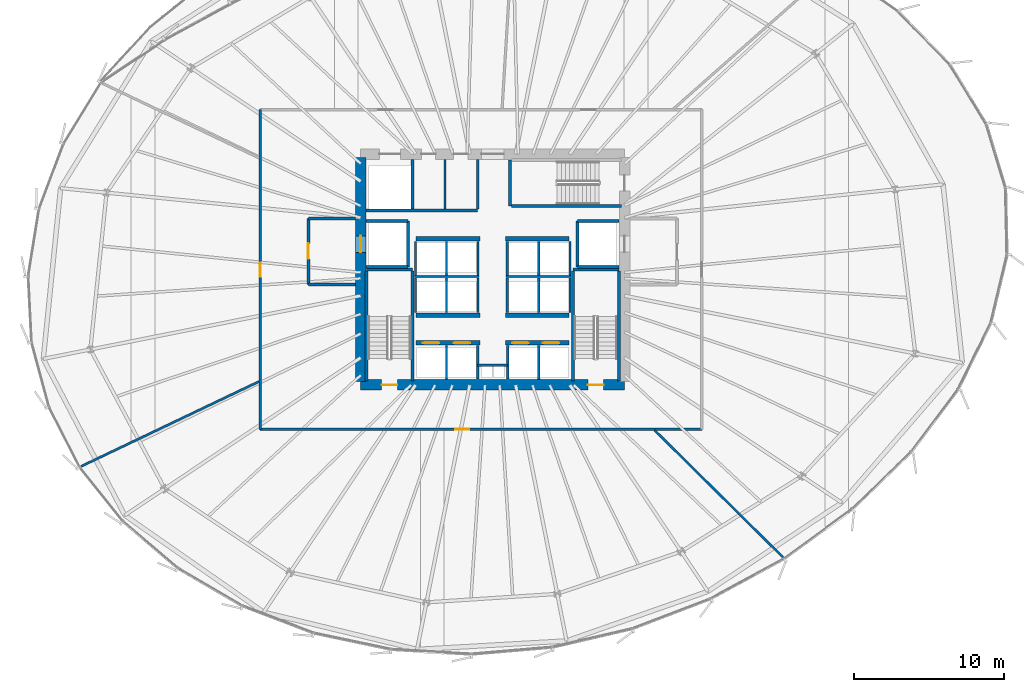
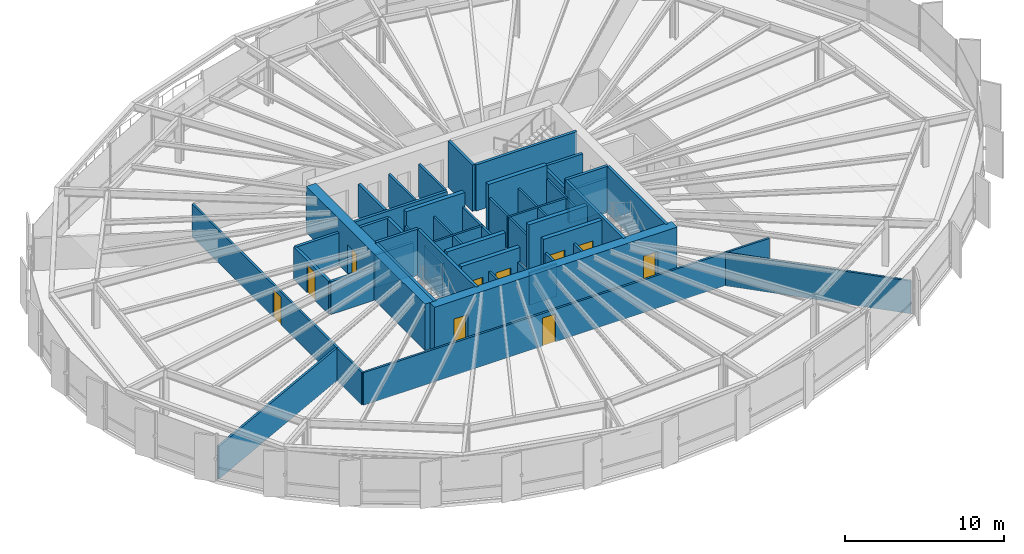
# One storey, part 32 of 38: 52 walls, 10 doors, 10 openings.
"""IFC4 building model written with IfcOpenShell, lengths in metres."""

from ifc_helpers import new_model, si_unit, direction, frame, frame_2d, origin, place, context, subcontext, project, spatial, rectangle, extrude, source, transform, mapped, material, layer, layer_set, type_object, element, fill, save


model = new_model("IFC4")

# Units and contexts
model_context = context("Model", 3, precision=1e-05, world=origin(), true_north=direction((0.0, 1.0)))
body_context = subcontext(model_context, "Body", "Model", "MODEL_VIEW")
ifc_project = project(units=[si_unit("LENGTHUNIT", "METRE"), si_unit("AREAUNIT", "SQUARE_METRE"), si_unit("VOLUMEUNIT", "CUBIC_METRE"), si_unit("PLANEANGLEUNIT", "RADIAN"), si_unit("MASSUNIT", "GRAM", prefix="KILO"), si_unit("THERMODYNAMICTEMPERATUREUNIT", "KELVIN")], contexts=[model_context])

# Site, building, storey
site_placement = place(None, origin())
site = spatial("IfcSite", under=ifc_project, at=site_placement, CompositionType="ELEMENT")
building_placement = place(site_placement, origin())
building = spatial("IfcBuilding", under=site, at=building_placement, Name="Kethvar Cultural Tower", CompositionType="ELEMENT")
storey_placement = place(building_placement, frame((0.0, 0.0, 67.60009765625)))
storey = spatial("IfcBuildingStorey", under=building, at=storey_placement, Name="L16", CompositionType="ELEMENT", Elevation=67.60009765625)

# Wall, openings, doors
ifc_material_1 = material(Name="Concrete C60/75", Category="concrete")
ifc_layer_1 = layer(ifc_material_1, 0.699951171875, Name="Concrete C60/75", Category="concrete")
ifc_layer_set_1 = layer_set([ifc_layer_1], Name="Concrete C60/75 (700 mm)")
wall_type_1 = type_object("IfcWallType", Name="WL-CORE-700", PredefinedType="SHEAR", material=ifc_layer_set_1)
wall_1_placement = place(storey_placement, frame((38.0, 20.10009765625, 0.0), z_axis=(0.0, 0.0, 1.0), x_axis=(1.0, 0.0, 0.0)))
wall_1 = element("IfcWall", 1, at=wall_1_placement, inside=storey, type_object=wall_type_1, Name="L16 Core Shear Wall S", PredefinedType="SHEAR", context=body_context, shape_type="SweptSolid", body=[
    extrude(rectangle(XDim=17.60009765625, YDim=0.699951171875, at=frame_2d((8.800048828125, 0.0))), origin(), (0.0, 0.0, 1.0), 3.5498046875),
])
opening_1_placement = place(wall_1_placement, frame((1.39990234375, 0.0, 0.0)))
opening_1 = element("IfcOpeningElement", 2, at=opening_1_placement, cuts=wall_1, Name="Opening D-L16-S1", PredefinedType="OPENING", context=body_context, shape_type="SweptSolid", body=[
    extrude(rectangle(XDim=1.050048828125, YDim=2.14990234375, at=frame_2d((0.52490234375, 1.074951171875))), frame((0.0, 0.35986328125, 0.0), z_axis=(0.0, -1.0, 0.0), x_axis=(1.0, 0.0, 0.0)), (0.0, 0.0, 1.0), 0.719970703125),
])
opening_2_placement = place(wall_1_placement, frame((15.14990234375, 0.0, 0.0)))
opening_2 = element("IfcOpeningElement", 3, at=opening_2_placement, cuts=wall_1, Name="Opening D-L16-ST2", PredefinedType="OPENING", context=body_context, shape_type="SweptSolid", body=[
    extrude(rectangle(XDim=1.050048828125, YDim=2.14990234375, at=frame_2d((0.52490234375, 1.074951171875))), frame((0.0, 0.35986328125, 0.0), z_axis=(0.0, -1.0, 0.0), x_axis=(1.0, 0.0, 0.0)), (0.0, 0.0, 1.0), 0.719970703125),
])
ifc_material_2 = material(Name="Steel S355J2", Category="steel")
door_type_1 = type_object("IfcDoorType", Name="DR-FD60-1050", OperationType="NOTDEFINED", PredefinedType="DOOR", material=ifc_material_2)
shared_shape_1 = source(origin(), body_context, "Body", "SweptSolid", [
    extrude(rectangle(XDim=1.050048828125, YDim=2.14990234375, at=frame_2d((0.52490234375, 1.074951171875))), frame((0.0, 0.02490234375, 0.0), z_axis=(0.0, -1.0, 0.0), x_axis=(1.0, 0.0, 0.0)), (0.0, 0.0, 1.0), 0.050048828125),
])
door_1_placement = place(opening_1_placement, origin())
door_1 = element("IfcDoor", 4, at=door_1_placement, inside=storey, type_object=door_type_1, Name="L16 Exit Stair 1 Door", OperationType="SINGLE_SWING_LEFT", OverallHeight=2.14990234375, OverallWidth=1.050048828125, PredefinedType="DOOR", context=body_context, shape_type="MappedRepresentation", body=[
    mapped(shared_shape_1, transform((0.0, 0.0, 0.0), scale=1.0)),
])
fill(opening_1, door_1)
door_2_placement = place(opening_2_placement, origin())
door_2 = element("IfcDoor", 5, at=door_2_placement, inside=storey, type_object=door_type_1, Name="L16 Exit Stair 2 Door", OperationType="SINGLE_SWING_RIGHT", OverallHeight=2.14990234375, OverallWidth=1.050048828125, PredefinedType="DOOR", context=body_context, shape_type="MappedRepresentation", body=[
    mapped(shared_shape_1, transform((0.0, 0.0, 0.0), scale=1.0)),
])
fill(opening_2, door_2)

# Wall, opening, door
wall_2_placement = place(storey_placement, frame((38.0, 35.260009765625, 0.0), z_axis=(0.0, 0.0, 1.0), x_axis=(0.0, -1.0, 0.0)))
wall_2 = element("IfcWall", 6, at=wall_2_placement, inside=storey, type_object=wall_type_1, Name="L16 Core Shear Wall W", PredefinedType="SHEAR", context=body_context, shape_type="SweptSolid", body=[
    extrude(rectangle(XDim=14.919921875, YDim=0.699951171875, at=frame_2d((7.4599609375, 0.0))), origin(), (0.0, 0.0, 1.0), 3.5498046875),
])
opening_3_placement = place(wall_2_placement, frame((5.2099609375, 0.0, 0.0)))
opening_3 = element("IfcOpeningElement", 7, at=opening_3_placement, cuts=wall_2, Name="Opening LD-1", PredefinedType="OPENING", context=body_context, shape_type="SweptSolid", body=[
    extrude(rectangle(XDim=1.10009765625, YDim=2.199951171875, at=frame_2d((0.550048828125, 1.10009765625))), frame((0.0, 0.35986328125, 0.0), z_axis=(0.0, -1.0, 0.0), x_axis=(1.0, 0.0, 0.0)), (0.0, 0.0, 1.0), 0.719970703125),
])
door_type_2 = type_object("IfcDoorType", Name="DR-LIFT-SLIDE-1100", OperationType="NOTDEFINED", PredefinedType="DOOR", material=ifc_material_2)
shared_shape_2 = source(origin(), body_context, "Body", "SweptSolid", [
    extrude(rectangle(XDim=1.10009765625, YDim=2.199951171875, at=frame_2d((0.550048828125, 1.10009765625))), frame((0.0, 0.02490234375, 0.0), z_axis=(0.0, -1.0, 0.0), x_axis=(1.0, 0.0, 0.0)), (0.0, 0.0, 1.0), 0.050048828125),
])
door_3_placement = place(opening_3_placement, origin())
door_3 = element("IfcDoor", 8, at=door_3_placement, inside=storey, type_object=door_type_2, Name="L16 Firefighting Lift Landing Door FFL-01", OperationType="SLIDING_TO_LEFT", OverallHeight=2.199951171875, OverallWidth=1.10009765625, PredefinedType="DOOR", context=body_context, shape_type="MappedRepresentation", body=[
    mapped(shared_shape_2, transform((0.0, 0.0, 0.0), scale=1.0)),
])
fill(opening_3, door_3)

# Walls
ifc_material_3 = material(Name="Gypsum Fireboard Partition")
ifc_layer_2 = layer(ifc_material_3, 0.14990234375, Name="Gypsum Fireboard Partition")
ifc_layer_set_2 = layer_set([ifc_layer_2], Name="Gypsum Fireboard Partition (150 mm)")
wall_type_2 = type_object("IfcWallType", Name="WL-FIRE-150", PredefinedType="PARTITIONING", material=ifc_layer_set_2)
wall_3_placement = place(storey_placement, frame((45.800048828125, 21.419921875, 0.0), z_axis=(0.0, 0.0, 1.0), x_axis=(1.0, 0.0, 0.0)))
element("IfcWall", 9, at=wall_3_placement, inside=storey, type_object=wall_type_2, Name="L16 Core Riser Wall", PredefinedType="PARTITIONING", context=body_context, shape_type="SweptSolid", body=[
    extrude(rectangle(XDim=2.0, YDim=0.14990234375, at=frame_2d((1.0, 0.0))), origin(), (0.0, 0.0, 1.0), 2.5048828125),
])
for number, where, z_axis, x_axis, name in (
    (10, (45.800048828125, 20.47998046875, 0.0), (0.0, 0.0, 1.0), (0.0, 1.0, 0.0), "L16 Core Riser West Wall"),
    (11, (47.800048828125, 20.47998046875, 0.0), (0.0, 0.0, 1.0), (0.0, 1.0, 0.0), "L16 Core Riser East Wall"),
):
    element("IfcWall", number, at=place(storey_placement, frame(where, z_axis=z_axis, x_axis=x_axis)), inside=storey, type_object=wall_type_2, Name=name, PredefinedType="PARTITIONING", context=body_context, shape_type="SweptSolid", body=[
        extrude(rectangle(XDim=2.239990234375, YDim=0.14990234375, at=frame_2d((1.1201171875, 0.0))), origin(), (0.0, 0.0, 1.0), 2.5048828125),
    ])
for number, where, z_axis, x_axis, name in (
    (12, (43.72509765625, 20.4599609375, 0.0), (0.0, 0.0, 1.0), (0.0, 1.0, 0.0), "L16 Low-Rise Lift Shaft Divider W"),
    (13, (49.875, 20.4599609375, 0.0), (0.0, 0.0, 1.0), (0.0, 1.0, 0.0), "L16 Low-Rise Lift Shaft Divider E"),
):
    element("IfcWall", number, at=place(storey_placement, frame(where, z_axis=z_axis, x_axis=x_axis)), inside=storey, type_object=wall_type_2, Name=name, PredefinedType="PARTITIONING", context=body_context, shape_type="SweptSolid", body=[
        extrude(rectangle(XDim=2.27001953125, YDim=0.14990234375, at=frame_2d((1.135009765625, 0.0))), origin(), (0.0, 0.0, 1.0), 2.5048828125),
    ])
wall_4_placement = place(storey_placement, frame((41.580078125, 27.324951171875, 0.0), z_axis=(0.0, 0.0, 1.0), x_axis=(1.0, 0.0, 0.0)))
element("IfcWall", 14, at=wall_4_placement, inside=storey, type_object=wall_type_2, Name="L16 Mid-High Lift Shaft Back Wall W", PredefinedType="PARTITIONING", context=body_context, shape_type="SweptSolid", body=[
    extrude(rectangle(XDim=4.31982421875, YDim=0.14990234375, at=frame_2d((2.159912109375, 0.0))), origin(), (0.0, 0.0, 1.0), 2.5048828125),
])
wall_5_placement = place(storey_placement, frame((47.699951171875, 27.324951171875, 0.0), z_axis=(0.0, 0.0, 1.0), x_axis=(1.0, 0.0, 0.0)))
element("IfcWall", 15, at=wall_5_placement, inside=storey, type_object=wall_type_2, Name="L16 Mid-High Lift Shaft Back Wall E", PredefinedType="PARTITIONING", context=body_context, shape_type="SweptSolid", body=[
    extrude(rectangle(XDim=4.320068359375, YDim=0.14990234375, at=frame_2d((2.16015625, 0.0))), origin(), (0.0, 0.0, 1.0), 2.5048828125),
])
for number, where, z_axis, x_axis, name in (
    (16, (41.64990234375, 24.919921875, 0.0), (0.0, 0.0, 1.0), (0.0, 1.0, 0.0), "L16 Mid-Rise Lift Shaft Outer Wall W"),
    (17, (43.72509765625, 24.919921875, 0.0), (0.0, 0.0, 1.0), (0.0, 1.0, 0.0), "L16 Mid-Rise Lift Shaft Divider W"),
    (18, (45.824951171875, 24.919921875, 0.0), (0.0, 0.0, 1.0), (0.0, 1.0, 0.0), "L16 Mid-Rise Lift Shaft Concourse Wall W"),
    (19, (47.77490234375, 24.919921875, 0.0), (0.0, 0.0, 1.0), (0.0, 1.0, 0.0), "L16 Mid-Rise Lift Shaft Concourse Wall E"),
    (20, (49.875, 24.919921875, 0.0), (0.0, 0.0, 1.0), (0.0, 1.0, 0.0), "L16 Mid-Rise Lift Shaft Divider E"),
    (21, (51.949951171875, 24.919921875, 0.0), (0.0, 0.0, 1.0), (0.0, 1.0, 0.0), "L16 Mid-Rise Lift Shaft Outer Wall E"),
):
    element("IfcWall", number, at=place(storey_placement, frame(where, z_axis=z_axis, x_axis=x_axis)), inside=storey, type_object=wall_type_2, Name=name, PredefinedType="PARTITIONING", context=body_context, shape_type="SweptSolid", body=[
        extrude(rectangle(XDim=2.320068359375, YDim=0.14990234375, at=frame_2d((1.16015625, 0.0))), origin(), (0.0, 0.0, 1.0), 2.5048828125),
    ])
for number, where, z_axis, x_axis, name in (
    (22, (41.64990234375, 27.409912109375, 0.0), (0.0, 0.0, 1.0), (0.0, 1.0, 0.0), "L16 High-Rise Lift Shaft Outer Wall W"),
    (23, (43.72509765625, 27.409912109375, 0.0), (0.0, 0.0, 1.0), (0.0, 1.0, 0.0), "L16 High-Rise Lift Shaft Divider W"),
    (24, (45.824951171875, 27.409912109375, 0.0), (0.0, 0.0, 1.0), (0.0, 1.0, 0.0), "L16 High-Rise Lift Shaft Concourse Wall W"),
    (25, (47.77490234375, 27.409912109375, 0.0), (0.0, 0.0, 1.0), (0.0, 1.0, 0.0), "L16 High-Rise Lift Shaft Concourse Wall E"),
    (26, (49.875, 27.409912109375, 0.0), (0.0, 0.0, 1.0), (0.0, 1.0, 0.0), "L16 High-Rise Lift Shaft Divider E"),
    (27, (51.949951171875, 27.409912109375, 0.0), (0.0, 0.0, 1.0), (0.0, 1.0, 0.0), "L16 High-Rise Lift Shaft Outer Wall E"),
):
    element("IfcWall", number, at=place(storey_placement, frame(where, z_axis=z_axis, x_axis=x_axis)), inside=storey, type_object=wall_type_2, Name=name, PredefinedType="PARTITIONING", context=body_context, shape_type="SweptSolid", body=[
        extrude(rectangle(XDim=2.27001953125, YDim=0.14990234375, at=frame_2d((1.135009765625, 0.0))), origin(), (0.0, 0.0, 1.0), 2.5048828125),
    ])
wall_6_placement = place(storey_placement, frame((45.800048828125, 31.85009765625, 0.0), z_axis=(0.0, 0.0, 1.0), x_axis=(0.0, 1.0, 0.0)))
element("IfcWall", 28, at=wall_6_placement, inside=storey, type_object=wall_type_2, Name="L16 Sanitary Spine Wall", PredefinedType="PARTITIONING", context=body_context, shape_type="SweptSolid", body=[
    extrude(rectangle(XDim=3.289794921875, YDim=0.14990234375, at=frame_2d((1.64501953125, 0.0))), origin(), (0.0, 0.0, 1.0), 2.5048828125),
])

# Wall, opening, door
wall_7_placement = place(storey_placement, frame((31.2900390625, 17.139892578125, 0.0), z_axis=(0.0, 0.0, 1.0), x_axis=(1.0, 0.0, 0.0)))
wall_7 = element("IfcWall", 29, at=wall_7_placement, inside=storey, type_object=wall_type_2, Name="L16 Corridor Rated Wall S", PredefinedType="PARTITIONING", context=body_context, shape_type="SweptSolid", body=[
    extrude(rectangle(XDim=29.4599609375, YDim=0.14990234375, at=frame_2d((14.72998046875, 0.0))), origin(), (0.0, 0.0, 1.0), 2.5048828125),
])
opening_4_placement = place(wall_7_placement, frame((12.998046875, 0.0, 0.0)))
opening_4 = element("IfcOpeningElement", 30, at=opening_4_placement, cuts=wall_7, Name="Opening D-L16-01", PredefinedType="OPENING", context=body_context, shape_type="SweptSolid", body=[
    extrude(rectangle(XDim=0.949951171875, YDim=2.14990234375, at=frame_2d((0.47509765625, 1.074951171875))), frame((0.0, 0.0849609375, 0.0), z_axis=(0.0, -1.0, 0.0), x_axis=(1.0, 0.0, 0.0)), (0.0, 0.0, 1.0), 0.169921875),
])
ifc_material_4 = material(Name="Architectural Oak Timber", Category="wood")
door_type_3 = type_object("IfcDoorType", Name="DR-FD30-950", OperationType="NOTDEFINED", PredefinedType="DOOR", material=ifc_material_4)
shared_shape_3 = source(origin(), body_context, "Body", "SweptSolid", [
    extrude(rectangle(XDim=0.949951171875, YDim=2.14990234375, at=frame_2d((0.47509765625, 1.074951171875))), frame((0.0, 0.02490234375, 0.0), z_axis=(0.0, -1.0, 0.0), x_axis=(1.0, 0.0, 0.0)), (0.0, 0.0, 1.0), 0.050048828125),
])
door_4_placement = place(opening_4_placement, origin())
door_4 = element("IfcDoor", 31, at=door_4_placement, inside=storey, type_object=door_type_3, Name="L16 Members' Dining Lounge 01 Door", OperationType="SINGLE_SWING_LEFT", OverallHeight=2.14990234375, OverallWidth=0.949951171875, PredefinedType="DOOR", context=body_context, shape_type="MappedRepresentation", body=[
    mapped(shared_shape_3, transform((0.0, 0.0, 0.0), scale=1.0)),
])
fill(opening_4, door_4)

wall_8_placement = place(storey_placement, frame((31.2900390625, 38.4599609375, 0.0), z_axis=(0.0, 0.0, 1.0), x_axis=(0.0, -1.0, 0.0)))
wall_8 = element("IfcWall", 32, at=wall_8_placement, inside=storey, type_object=wall_type_2, Name="L16 Corridor Rated Wall W", PredefinedType="PARTITIONING", context=body_context, shape_type="SweptSolid", body=[
    extrude(rectangle(XDim=21.320068359375, YDim=0.14990234375, at=frame_2d((10.66015625, 0.0))), origin(), (0.0, 0.0, 1.0), 2.5048828125),
])
opening_5_placement = place(wall_8_placement, frame((10.2001953125, 0.0, 0.0)))
opening_5 = element("IfcOpeningElement", 33, at=opening_5_placement, cuts=wall_8, Name="Opening D-L16-05", PredefinedType="OPENING", context=body_context, shape_type="SweptSolid", body=[
    extrude(rectangle(XDim=0.949951171875, YDim=2.14990234375, at=frame_2d((0.47509765625, 1.074951171875))), frame((0.0, 0.0849609375, 0.0), z_axis=(0.0, -1.0, 0.0), x_axis=(1.0, 0.0, 0.0)), (0.0, 0.0, 1.0), 0.169921875),
])
door_5_placement = place(opening_5_placement, origin())
door_5 = element("IfcDoor", 34, at=door_5_placement, inside=storey, type_object=door_type_3, Name="L16 Laboratory Tea Pantry 05 Door", OperationType="SINGLE_SWING_LEFT", OverallHeight=2.14990234375, OverallWidth=0.949951171875, PredefinedType="DOOR", context=body_context, shape_type="MappedRepresentation", body=[
    mapped(shared_shape_3, transform((0.0, 0.0, 0.0), scale=1.0)),
])
fill(opening_5, door_5)

# Walls
ifc_material_5 = material(Name="Concrete C40/50", Category="concrete")
ifc_layer_3 = layer(ifc_material_5, 0.199951171875, Name="Concrete C40/50", Category="concrete")
ifc_layer_set_3 = layer_set([ifc_layer_3], Name="Concrete C40/50 (200 mm)")
wall_type_3 = type_object("IfcWallType", Name="WL-FIRE-200", PredefinedType="PARTITIONING", material=ifc_layer_set_3)
wall_9_placement = place(storey_placement, frame((41.14990234375, 27.949951171875, 0.0), z_axis=(0.0, 0.0, 1.0), x_axis=(0.0, 1.0, 0.0)))
element("IfcWall", 35, at=wall_9_placement, inside=storey, type_object=wall_type_3, Name="L16 FFL-01 Shaft Inner Wall", PredefinedType="PARTITIONING", context=body_context, shape_type="SweptSolid", body=[
    extrude(rectangle(XDim=3.10009765625, YDim=0.199951171875, at=frame_2d((1.550048828125, 0.0))), origin(), (0.0, 0.0, 1.0), 2.5048828125),
])
for number, where, z_axis, x_axis, name in (
    (36, (38.360107421875, 27.949951171875, 0.0), (0.0, 0.0, 1.0), (1.0, 0.0, 0.0), "L16 FFL-01 Shaft South Wall"),
    (37, (38.360107421875, 31.050048828125, 0.0), (0.0, 0.0, 1.0), (1.0, 0.0, 0.0), "L16 FFL-01 Shaft North Wall"),
):
    element("IfcWall", number, at=place(storey_placement, frame(where, z_axis=z_axis, x_axis=x_axis)), inside=storey, type_object=wall_type_3, Name=name, PredefinedType="PARTITIONING", context=body_context, shape_type="SweptSolid", body=[
        extrude(rectangle(XDim=2.789794921875, YDim=0.199951171875, at=frame_2d((1.39501953125, 0.0))), origin(), (0.0, 0.0, 1.0), 2.5048828125),
    ])

# Wall, opening, door
wall_10_placement = place(storey_placement, frame((34.5, 31.199951171875, 0.0), z_axis=(0.0, 0.0, 1.0), x_axis=(0.0, -1.0, 0.0)))
wall_10 = element("IfcWall", 38, at=wall_10_placement, inside=storey, type_object=wall_type_3, Name="L16 Firefighting Lobby 1 Wall", PredefinedType="PARTITIONING", context=body_context, shape_type="SweptSolid", body=[
    extrude(rectangle(XDim=4.39990234375, YDim=0.199951171875, at=frame_2d((2.199951171875, 0.0))), origin(), (0.0, 0.0, 1.0), 2.5048828125),
])
opening_6_placement = place(wall_10_placement, frame((1.64990234375, 0.0, 0.0)))
opening_6 = element("IfcOpeningElement", 39, at=opening_6_placement, cuts=wall_10, Name="Opening D-L16-F1", PredefinedType="OPENING", context=body_context, shape_type="SweptSolid", body=[
    extrude(rectangle(XDim=1.050048828125, YDim=2.14990234375, at=frame_2d((0.52490234375, 1.074951171875))), frame((0.0, 0.10986328125, 0.0), z_axis=(0.0, -1.0, 0.0), x_axis=(1.0, 0.0, 0.0)), (0.0, 0.0, 1.0), 0.219970703125),
])
door_6_placement = place(opening_6_placement, origin())
door_6 = element("IfcDoor", 40, at=door_6_placement, inside=storey, type_object=door_type_1, Name="L16 Firefighting Lobby 1 Fire Door", OperationType="SINGLE_SWING_LEFT", OverallHeight=2.14990234375, OverallWidth=1.050048828125, PredefinedType="DOOR", context=body_context, shape_type="MappedRepresentation", body=[
    mapped(shared_shape_1, transform((0.0, 0.0, 0.0), scale=1.0)),
])
fill(opening_6, door_6)

# Walls
for number, where, z_axis, x_axis, name in (
    (41, (34.5, 26.800048828125, 0.0), (0.0, 0.0, 1.0), (1.0, 0.0, 0.0), "L16 FF Lobby 1 South Wall"),
    (42, (34.5, 31.199951171875, 0.0), (0.0, 0.0, 1.0), (1.0, 0.0, 0.0), "L16 FF Lobby 1 North Wall"),
):
    element("IfcWall", number, at=place(storey_placement, frame(where, z_axis=z_axis, x_axis=x_axis)), inside=storey, type_object=wall_type_3, Name=name, PredefinedType="PARTITIONING", context=body_context, shape_type="SweptSolid", body=[
        extrude(rectangle(XDim=3.139892578125, YDim=0.199951171875, at=frame_2d((1.56982421875, 0.0))), origin(), (0.0, 0.0, 1.0), 2.5048828125),
    ])
wall_11_placement = place(storey_placement, frame((52.449951171875, 27.949951171875, 0.0), z_axis=(0.0, 0.0, 1.0), x_axis=(0.0, 1.0, 0.0)))
element("IfcWall", 43, at=wall_11_placement, inside=storey, type_object=wall_type_3, Name="L16 FFL-02 Shaft Inner Wall", PredefinedType="PARTITIONING", context=body_context, shape_type="SweptSolid", body=[
    extrude(rectangle(XDim=3.10009765625, YDim=0.199951171875, at=frame_2d((1.550048828125, 0.0))), origin(), (0.0, 0.0, 1.0), 2.5048828125),
])
for number, where, z_axis, x_axis, name in (
    (44, (52.449951171875, 27.949951171875, 0.0), (0.0, 0.0, 1.0), (1.0, 0.0, 0.0), "L16 FFL-02 Shaft South Wall"),
    (45, (52.449951171875, 31.050048828125, 0.0), (0.0, 0.0, 1.0), (1.0, 0.0, 0.0), "L16 FFL-02 Shaft North Wall"),
):
    element("IfcWall", number, at=place(storey_placement, frame(where, z_axis=z_axis, x_axis=x_axis)), inside=storey, type_object=wall_type_3, Name=name, PredefinedType="PARTITIONING", context=body_context, shape_type="SweptSolid", body=[
        extrude(rectangle(XDim=2.7900390625, YDim=0.199951171875, at=frame_2d((1.39501953125, 0.0))), origin(), (0.0, 0.0, 1.0), 2.5048828125),
    ])
wall_12_placement = place(storey_placement, frame((41.449951171875, 31.85009765625, 0.0), z_axis=(0.0, 0.0, 1.0), x_axis=(0.0, 1.0, 0.0)))
element("IfcWall", 46, at=wall_12_placement, inside=storey, type_object=wall_type_3, Name="L16 NW Core Pocket Wall", PredefinedType="PARTITIONING", context=body_context, shape_type="SweptSolid", body=[
    extrude(rectangle(XDim=3.289794921875, YDim=0.199951171875, at=frame_2d((1.64501953125, 0.0))), origin(), (0.0, 0.0, 1.0), 2.5048828125),
])
wall_13_placement = place(storey_placement, frame((38.360107421875, 31.72998046875, 0.0), z_axis=(0.0, 0.0, 1.0), x_axis=(1.0, 0.0, 0.0)))
element("IfcWall", 47, at=wall_13_placement, inside=storey, type_object=wall_type_3, Name="L16 North Core Sanitary South Wall", PredefinedType="PARTITIONING", context=body_context, shape_type="SweptSolid", body=[
    extrude(rectangle(XDim=7.43994140625, YDim=0.199951171875, at=frame_2d((3.719970703125, 0.0))), origin(), (0.0, 0.0, 1.0), 2.5048828125),
])
ifc_material_6 = material(Name="Gypsum Acoustic Partition")
ifc_layer_4 = layer(ifc_material_6, 0.14990234375, Name="Gypsum Acoustic Partition")
ifc_layer_set_4 = layer_set([ifc_layer_4], Name="Gypsum Acoustic Partition (150 mm)")
wall_type_4 = type_object("IfcWallType", Name="WL-PART-150", PredefinedType="PARTITIONING", material=ifc_layer_set_4)
wall_14_placement = place(storey_placement, frame((31.2177734375, 20.329833984375, 0.0), z_axis=(0.0, 0.0, 1.0), x_axis=(-0.902605348343, -0.430469029248, 0.0)))
element("IfcWall", 48, at=wall_14_placement, inside=storey, type_object=wall_type_4, Name="L16 Radial Partition Wall 01", PredefinedType="PARTITIONING", context=body_context, shape_type="SweptSolid", body=[
    extrude(rectangle(XDim=13.130615234375, YDim=0.14990234375, at=frame_2d((6.5654296875, 0.0))), origin(), (0.0, 0.0, 1.0), 2.5048828125),
])
wall_15_placement = place(storey_placement, frame((57.595458984375, 17.083740234375, 0.0), z_axis=(0.0, 0.0, 1.0), x_axis=(0.710794315571, -0.703399915377, 0.0)))
element("IfcWall", 49, at=wall_15_placement, inside=storey, type_object=wall_type_4, Name="L16 Radial Partition Wall 02", PredefinedType="PARTITIONING", context=body_context, shape_type="SweptSolid", body=[
    extrude(rectangle(XDim=12.05126953125, YDim=0.14990234375, at=frame_2d((6.025634765625, 0.0))), origin(), (0.0, 0.0, 1.0), 2.5048828125),
])
ifc_material_7 = material(Name="Moisture-Resistant Sanitary Chase Wall")
ifc_layer_5 = layer(ifc_material_7, 0.14990234375, Name="Moisture-Resistant Sanitary Chase Wall")
ifc_layer_set_5 = layer_set([ifc_layer_5], Name="Moisture-Resistant Sanitary Chase Wall (150 mm)")
wall_type_5 = type_object("IfcWallType", Name="WL-PLUMB-150", PredefinedType="PLUMBINGWALL", material=ifc_layer_set_5)
wall_16_placement = place(storey_placement, frame((43.6201171875, 31.85009765625, 0.0), z_axis=(0.0, 0.0, 1.0), x_axis=(0.0, 1.0, 0.0)))
element("IfcWall", 50, at=wall_16_placement, inside=storey, type_object=wall_type_5, Name="L16 Sanitary Plumbing Wall", PredefinedType="PLUMBINGWALL", context=body_context, shape_type="SweptSolid", body=[
    extrude(rectangle(XDim=3.289794921875, YDim=0.14990234375, at=frame_2d((1.64501953125, 0.0))), origin(), (0.0, 0.0, 1.0), 2.5048828125),
])

# Wall, openings, doors
ifc_material_8 = material(Name="Concrete C50/60", Category="concrete")
ifc_layer_6 = layer(ifc_material_8, 0.300048828125, Name="Concrete C50/60", Category="concrete")
ifc_layer_set_6 = layer_set([ifc_layer_6], Name="Concrete C50/60 (300 mm)")
wall_type_6 = type_object("IfcWallType", Name="WL-SHAFT-300", PredefinedType="SHEAR", material=ifc_layer_set_6)
wall_17_placement = place(storey_placement, frame((41.699951171875, 22.89990234375, 0.0), z_axis=(0.0, 0.0, 1.0), x_axis=(1.0, 0.0, 0.0)))
wall_17 = element("IfcWall", 51, at=wall_17_placement, inside=storey, type_object=wall_type_6, Name="L16 Core Lift Spine Wall MID1W", PredefinedType="SHEAR", context=body_context, shape_type="SweptSolid", body=[
    extrude(rectangle(XDim=4.25, YDim=0.300048828125, at=frame_2d((2.125, 0.0))), origin(), (0.0, 0.0, 1.0), 3.5498046875),
])
opening_7_placement = place(wall_17_placement, frame((0.449951171875, 0.0, 0.0)))
opening_7 = element("IfcOpeningElement", 52, at=opening_7_placement, cuts=wall_17, Name="Opening LD-L1", PredefinedType="OPENING", context=body_context, shape_type="SweptSolid", body=[
    extrude(rectangle(XDim=1.10009765625, YDim=2.199951171875, at=frame_2d((0.550048828125, 1.10009765625))), frame((0.0, 0.159912109375, 0.0), z_axis=(0.0, -1.0, 0.0), x_axis=(1.0, 0.0, 0.0)), (0.0, 0.0, 1.0), 0.320068359375),
])
opening_8_placement = place(wall_17_placement, frame((2.5, 0.0, 0.0)))
opening_8 = element("IfcOpeningElement", 53, at=opening_8_placement, cuts=wall_17, Name="Opening LD-L2", PredefinedType="OPENING", context=body_context, shape_type="SweptSolid", body=[
    extrude(rectangle(XDim=1.10009765625, YDim=2.199951171875, at=frame_2d((0.550048828125, 1.10009765625))), frame((0.0, 0.159912109375, 0.0), z_axis=(0.0, -1.0, 0.0), x_axis=(1.0, 0.0, 0.0)), (0.0, 0.0, 1.0), 0.320068359375),
])
door_7_placement = place(opening_7_placement, origin())
door_7 = element("IfcDoor", 54, at=door_7_placement, inside=storey, type_object=door_type_2, Name="L16 Low-Rise Lift Landing Door L1", OperationType="SLIDING_TO_LEFT", OverallHeight=2.199951171875, OverallWidth=1.10009765625, PredefinedType="DOOR", context=body_context, shape_type="MappedRepresentation", body=[
    mapped(shared_shape_2, transform((0.0, 0.0, 0.0), scale=1.0)),
])
fill(opening_7, door_7)
door_8_placement = place(opening_8_placement, origin())
door_8 = element("IfcDoor", 55, at=door_8_placement, inside=storey, type_object=door_type_2, Name="L16 Low-Rise Lift Landing Door L2", OperationType="SLIDING_TO_LEFT", OverallHeight=2.199951171875, OverallWidth=1.10009765625, PredefinedType="DOOR", context=body_context, shape_type="MappedRepresentation", body=[
    mapped(shared_shape_2, transform((0.0, 0.0, 0.0), scale=1.0)),
])
fill(opening_8, door_8)

wall_18_placement = place(storey_placement, frame((47.64990234375, 22.89990234375, 0.0), z_axis=(0.0, 0.0, 1.0), x_axis=(1.0, 0.0, 0.0)))
wall_18 = element("IfcWall", 56, at=wall_18_placement, inside=storey, type_object=wall_type_6, Name="L16 Core Lift Spine Wall MID1E", PredefinedType="SHEAR", context=body_context, shape_type="SweptSolid", body=[
    extrude(rectangle(XDim=4.25, YDim=0.300048828125, at=frame_2d((2.125, 0.0))), origin(), (0.0, 0.0, 1.0), 3.5498046875),
])
opening_9_placement = place(wall_18_placement, frame((0.449951171875, 0.0, 0.0)))
opening_9 = element("IfcOpeningElement", 57, at=opening_9_placement, cuts=wall_18, Name="Opening LD-L3", PredefinedType="OPENING", context=body_context, shape_type="SweptSolid", body=[
    extrude(rectangle(XDim=1.10009765625, YDim=2.199951171875, at=frame_2d((0.550048828125, 1.10009765625))), frame((0.0, 0.159912109375, 0.0), z_axis=(0.0, -1.0, 0.0), x_axis=(1.0, 0.0, 0.0)), (0.0, 0.0, 1.0), 0.320068359375),
])
opening_10_placement = place(wall_18_placement, frame((2.5, 0.0, 0.0)))
opening_10 = element("IfcOpeningElement", 58, at=opening_10_placement, cuts=wall_18, Name="Opening LD-L4", PredefinedType="OPENING", context=body_context, shape_type="SweptSolid", body=[
    extrude(rectangle(XDim=1.10009765625, YDim=2.199951171875, at=frame_2d((0.550048828125, 1.10009765625))), frame((0.0, 0.159912109375, 0.0), z_axis=(0.0, -1.0, 0.0), x_axis=(1.0, 0.0, 0.0)), (0.0, 0.0, 1.0), 0.320068359375),
])
door_9_placement = place(opening_9_placement, origin())
door_9 = element("IfcDoor", 59, at=door_9_placement, inside=storey, type_object=door_type_2, Name="L16 Low-Rise Lift Landing Door L3", OperationType="SLIDING_TO_LEFT", OverallHeight=2.199951171875, OverallWidth=1.10009765625, PredefinedType="DOOR", context=body_context, shape_type="MappedRepresentation", body=[
    mapped(shared_shape_2, transform((0.0, 0.0, 0.0), scale=1.0)),
])
fill(opening_9, door_9)
door_10_placement = place(opening_10_placement, origin())
door_10 = element("IfcDoor", 60, at=door_10_placement, inside=storey, type_object=door_type_2, Name="L16 Low-Rise Lift Landing Door L4", OperationType="SLIDING_TO_LEFT", OverallHeight=2.199951171875, OverallWidth=1.10009765625, PredefinedType="DOOR", context=body_context, shape_type="MappedRepresentation", body=[
    mapped(shared_shape_2, transform((0.0, 0.0, 0.0), scale=1.0)),
])
fill(opening_10, door_10)

# Walls
for number, where, z_axis, x_axis, name in (
    (61, (41.699951171875, 24.75, 0.0), (0.0, 0.0, 1.0), (1.0, 0.0, 0.0), "L16 Core Lift Spine Wall MID2W"),
    (62, (47.64990234375, 24.75, 0.0), (0.0, 0.0, 1.0), (1.0, 0.0, 0.0), "L16 Core Lift Spine Wall MID2E"),
    (63, (41.699951171875, 29.85009765625, 0.0), (0.0, 0.0, 1.0), (1.0, 0.0, 0.0), "L16 Core Lift Spine Wall MID3W"),
    (64, (47.64990234375, 29.85009765625, 0.0), (0.0, 0.0, 1.0), (1.0, 0.0, 0.0), "L16 Core Lift Spine Wall MID3E"),
):
    element("IfcWall", number, at=place(storey_placement, frame(where, z_axis=z_axis, x_axis=x_axis)), inside=storey, type_object=wall_type_6, Name=name, PredefinedType="SHEAR", context=body_context, shape_type="SweptSolid", body=[
        extrude(rectangle(XDim=4.25, YDim=0.300048828125, at=frame_2d((2.125, 0.0))), origin(), (0.0, 0.0, 1.0), 3.5498046875),
    ])
ifc_layer_7 = layer(ifc_material_8, 0.199951171875, Name="Concrete C50/60", Category="concrete")
ifc_layer_set_7 = layer_set([ifc_layer_7], Name="Concrete C50/60 (200 mm)")
wall_type_7 = type_object("IfcWallType", Name="WL-STSHAFT-200", PredefinedType="SHEAR", material=ifc_layer_set_7)
wall_19_placement = place(storey_placement, frame((38.389892578125, 27.800048828125, 0.0), z_axis=(0.0, 0.0, 1.0), x_axis=(1.0, 0.0, 0.0)))
element("IfcWall", 65, at=wall_19_placement, inside=storey, type_object=wall_type_7, Name="L16 ST-01 Stair Shaft Wall FAR", PredefinedType="SHEAR", context=body_context, shape_type="SweptSolid", body=[
    extrude(rectangle(XDim=3.06005859375, YDim=0.199951171875, at=frame_2d((1.530029296875, 0.0))), origin(), (0.0, 0.0, 1.0), 3.5498046875),
])
for number, where, z_axis, x_axis, name in (
    (66, (41.449951171875, 27.699951171875, 0.0), (0.0, 0.0, 1.0), (0.0, -1.0, 0.0), "L16 ST-01 Stair Shaft Wall LEFT"),
    (67, (38.389892578125, 20.35009765625, 0.0), (0.0, 0.0, 1.0), (0.0, 1.0, 0.0), "L16 ST-01 Stair Shaft Wall RIGHT"),
):
    element("IfcWall", number, at=place(storey_placement, frame(where, z_axis=z_axis, x_axis=x_axis)), inside=storey, type_object=wall_type_7, Name=name, PredefinedType="SHEAR", context=body_context, shape_type="SweptSolid", body=[
        extrude(rectangle(XDim=7.349853515625, YDim=0.199951171875, at=frame_2d((3.6748046875, 0.0))), origin(), (0.0, 0.0, 1.0), 3.5498046875),
    ])
wall_20_placement = place(storey_placement, frame((52.14990234375, 27.800048828125, 0.0), z_axis=(0.0, 0.0, 1.0), x_axis=(1.0, 0.0, 0.0)))
element("IfcWall", 68, at=wall_20_placement, inside=storey, type_object=wall_type_7, Name="L16 ST-02 Stair Shaft Wall FAR", PredefinedType="SHEAR", context=body_context, shape_type="SweptSolid", body=[
    extrude(rectangle(XDim=3.06005859375, YDim=0.199951171875, at=frame_2d((1.530029296875, 0.0))), origin(), (0.0, 0.0, 1.0), 3.5498046875),
])
for number, where, z_axis, x_axis, name in (
    (69, (55.2099609375, 27.699951171875, 0.0), (0.0, 0.0, 1.0), (0.0, -1.0, 0.0), "L16 ST-02 Stair Shaft Wall LEFT"),
    (70, (52.14990234375, 20.35009765625, 0.0), (0.0, 0.0, 1.0), (0.0, 1.0, 0.0), "L16 ST-02 Stair Shaft Wall RIGHT"),
):
    element("IfcWall", number, at=place(storey_placement, frame(where, z_axis=z_axis, x_axis=x_axis)), inside=storey, type_object=wall_type_7, Name=name, PredefinedType="SHEAR", context=body_context, shape_type="SweptSolid", body=[
        extrude(rectangle(XDim=7.349853515625, YDim=0.199951171875, at=frame_2d((3.6748046875, 0.0))), origin(), (0.0, 0.0, 1.0), 3.5498046875),
    ])
wall_21_placement = place(storey_placement, frame((47.949951171875, 32.050048828125, 0.0), z_axis=(0.0, 0.0, 1.0), x_axis=(0.0, 1.0, 0.0)))
element("IfcWall", 71, at=wall_21_placement, inside=storey, type_object=wall_type_7, Name="L16 ST-03 Stair Shaft Wall FAR", PredefinedType="SHEAR", context=body_context, shape_type="SweptSolid", body=[
    extrude(rectangle(XDim=3.06005859375, YDim=0.199951171875, at=frame_2d((1.530029296875, 0.0))), origin(), (0.0, 0.0, 1.0), 3.5498046875),
])
wall_22_placement = place(storey_placement, frame((55.39990234375, 32.050048828125, 0.0), z_axis=(0.0, 0.0, 1.0), x_axis=(-1.0, 0.0, 0.0)))
element("IfcWall", 72, at=wall_22_placement, inside=storey, type_object=wall_type_7, Name="L16 ST-03 Stair Shaft Wall RIGHT", PredefinedType="SHEAR", context=body_context, shape_type="SweptSolid", body=[
    extrude(rectangle(XDim=7.349853515625, YDim=0.199951171875, at=frame_2d((3.6748046875, 0.0))), origin(), (0.0, 0.0, 1.0), 3.5498046875),
])

save(model, "model.ifc")
